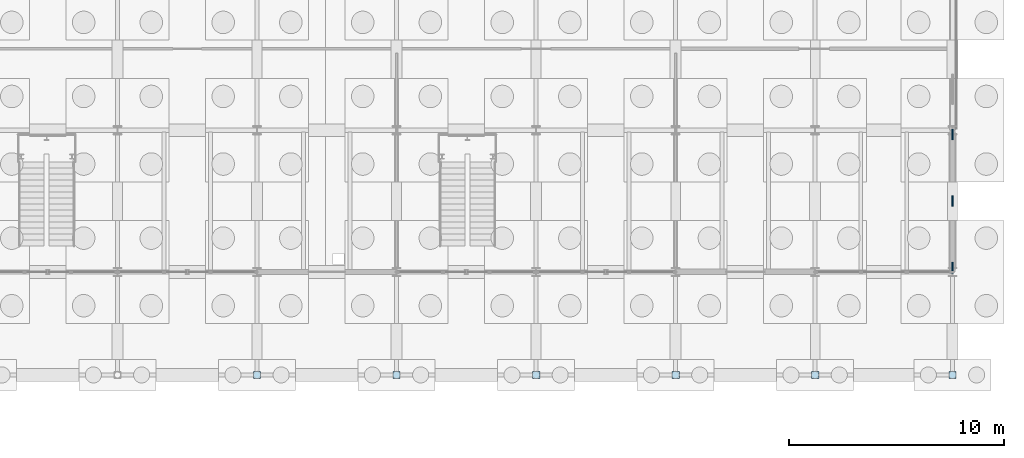
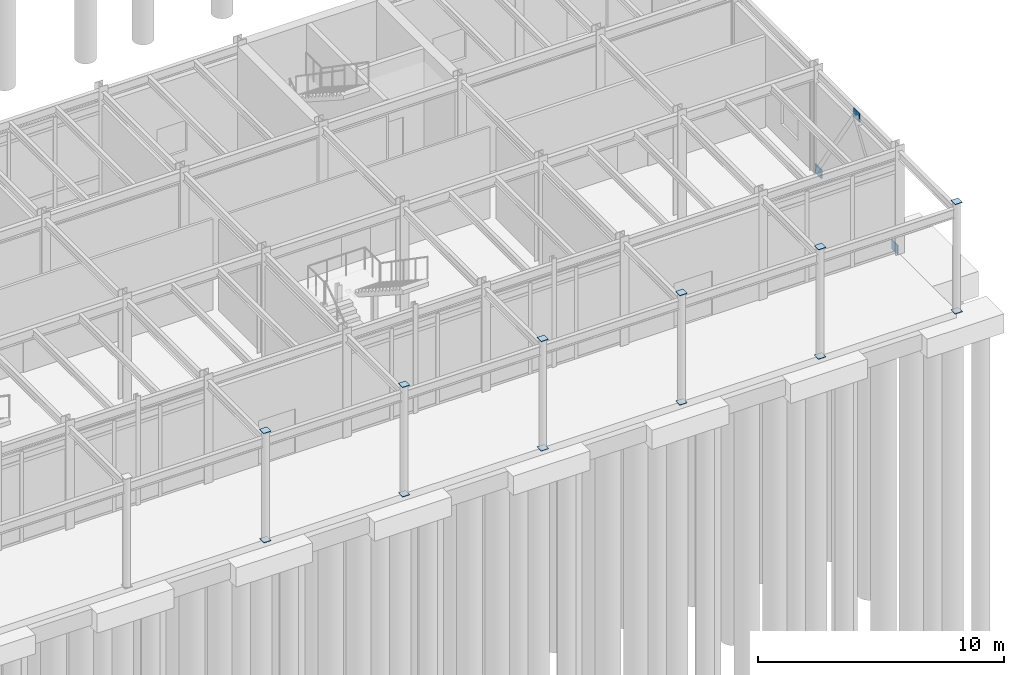
# One storey, part 64 of 82: 15 plates.
"""IFC4 building model written with IfcOpenShell, lengths in metres."""

import ifcopenshell
import ifcopenshell.guid

model = None  # the IFC model being written
_history = None  # IfcOwnerHistory: only IFC2X3 demands one
_inside = {}  # id of a spatial element -> (the spatial element, [elements in it])
_under = {}  # id of a project, library or spatial element -> (it, [spatial elements below it])
_declared = {}  # id of a project -> (the project, [libraries it declares])
_typed = {}  # id of a type object -> (the type object, [elements of that type])
_made_of = {}  # id of a material, layer set ... -> (it, [elements and type objects made of it])


def new_model(schema):
    """Start an empty IFC model of exactly this schema.

    Asked for "IFC4X3", IfcOpenShell would pick the latest addendum, in which some entities
    have other attributes; the version numbers below select the first issue.
    IFC2X3 requires an IfcOwnerHistory on every rooted entity: one is made here for all.
    """
    global model, _history
    if schema == "IFC4X3":
        model = ifcopenshell.file(schema_version=(4, 3, 0, 0))
    else:
        model = ifcopenshell.file(schema=schema)
    _inside.clear()
    _under.clear()
    _declared.clear()
    _typed.clear()
    _made_of.clear()
    _history = None
    if model.schema == "IFC2X3":
        org = make("IfcOrganization", Name="unknown")
        user = make(
            "IfcPersonAndOrganization",
            ThePerson=make("IfcPerson", FamilyName="unknown"),
            TheOrganization=org,
        )
        app = make(
            "IfcApplication",
            ApplicationDeveloper=org,
            Version="unknown",
            ApplicationFullName="unknown",
            ApplicationIdentifier="unknown",
        )
        _history = make(
            "IfcOwnerHistory",
            OwningUser=user,
            OwningApplication=app,
            ChangeAction="ADDED",
            CreationDate=0,
        )
    return model


def make(cls, **values):
    """One entity of the class cls with the attributes given. An attribute that is None is left unset."""
    return model.create_entity(
        cls, **{name: value for name, value in values.items() if value is not None}
    )


def rooted(cls, **values):
    """An entity with a GlobalId (a new one), such as an element, a storey or a relation."""
    return make(cls, GlobalId=ifcopenshell.guid.new(), OwnerHistory=_history, **values)


def si_unit(unit_type, name, prefix=None):
    """IfcSIUnit, for example si_unit("LENGTHUNIT", "METRE", prefix="MILLI")."""
    return make("IfcSIUnit", UnitType=unit_type, Prefix=prefix, Name=name)


def assignment(units):
    """IfcUnitAssignment: the units of a project."""
    return None if units is None else make("IfcUnitAssignment", Units=units)


def point(xyz):
    """IfcCartesianPoint."""
    return None if xyz is None else make("IfcCartesianPoint", Coordinates=xyz)


def direction(xyz):
    """IfcDirection."""
    return None if xyz is None else make("IfcDirection", DirectionRatios=xyz)


def frame(location, z_axis=None, x_axis=None):
    """IfcAxis2Placement3D, a coordinate frame: its origin and axes. An axis left out is left unset."""
    return make(
        "IfcAxis2Placement3D",
        Location=point(location),
        Axis=direction(z_axis),
        RefDirection=direction(x_axis),
    )


def frame_2d(location, x_axis=None):
    """IfcAxis2Placement2D, a coordinate frame in the plane: its origin and x axis."""
    return make(
        "IfcAxis2Placement2D", Location=point(location), RefDirection=direction(x_axis)
    )


def origin():
    """The frame at (0, 0, 0) with its axes left unset."""
    return frame((0.0, 0.0, 0.0))


def origin_2d():
    """The frame at (0, 0) in the plane with its x axis left unset."""
    return frame_2d((0.0, 0.0))


def place(relative_to, where):
    """IfcLocalPlacement: puts the frame where relative to a parent placement (None: the world)."""
    return make(
        "IfcLocalPlacement", PlacementRelTo=relative_to, RelativePlacement=where
    )


def context(
    kind, dimensions, precision=None, world=None, true_north=None, identifier=None
):
    """IfcGeometricRepresentationContext, for example the 3D "Model" context."""
    return make(
        "IfcGeometricRepresentationContext",
        ContextIdentifier=identifier,
        ContextType=kind,
        CoordinateSpaceDimension=dimensions,
        Precision=precision,
        WorldCoordinateSystem=world,
        TrueNorth=true_north,
    )


def subcontext(parent, identifier, kind, view, scale=None):
    """IfcGeometricRepresentationSubContext, for example "Body" below "Model"."""
    return make(
        "IfcGeometricRepresentationSubContext",
        ContextIdentifier=identifier,
        ContextType=kind,
        ParentContext=parent,
        TargetScale=scale,
        TargetView=view,
    )


def project(units=None, contexts=None):
    """IfcProject with its units and contexts."""
    return rooted(
        "IfcProject",
        Name="project",
        RepresentationContexts=contexts,
        UnitsInContext=assignment(units),
    )


def spatial(cls, under=None, at=None, **own):
    """A site, building, storey or space (cls), placed at a placement, below another one or the project."""
    s = rooted(cls, ObjectPlacement=at, **own)
    if under is not None:
        _under.setdefault(under.id(), (under, []))[1].append(s)
    return s


def profile(cls, at=None, kind="AREA", **sizes):
    """A parametric profile (cls). Its sizes go by their IFC names, for example OverallWidth=200.0."""
    return make(cls, ProfileType=kind, Position=at, **sizes)


def rectangle(**sizes):
    """IfcRectangleProfileDef."""
    return profile("IfcRectangleProfileDef", **sizes)


def extrude(swept, where, along, depth):
    """IfcExtrudedAreaSolid: the profile swept, set in the frame where, extruded along a direction by depth."""
    return make(
        "IfcExtrudedAreaSolid",
        SweptArea=swept,
        Position=where,
        ExtrudedDirection=direction(along),
        Depth=depth,
    )


def shape(context_of_items, identifier, shape_type, items):
    """IfcShapeRepresentation: the items that make up one representation, for example the "Body"."""
    return make(
        "IfcShapeRepresentation",
        ContextOfItems=context_of_items,
        RepresentationIdentifier=identifier,
        RepresentationType=shape_type,
        Items=items,
    )


def material(Name=None, Category=None):
    """IfcMaterial."""
    return make("IfcMaterial", Name=Name, Category=Category)


def layer(
    of_material, thickness, ventilated=None, Name=None, Category=None, Priority=None
):
    """IfcMaterialLayer: one layer of a wall or slab, of a material (None: an air gap)."""
    return make(
        "IfcMaterialLayer",
        Material=of_material,
        LayerThickness=thickness,
        IsVentilated=ventilated,
        Name=Name,
        Category=Category,
        Priority=Priority,
    )


def layer_set(layers, Name=None):
    """IfcMaterialLayerSet."""
    return make("IfcMaterialLayerSet", MaterialLayers=layers, LayerSetName=Name)


def made_of(thing, what):
    """Note that an element or type object is made of a material, layer set ...; save() writes the relation."""
    if what is not None:
        _made_of.setdefault(what.id(), (what, []))[1].append(thing)
    return thing


def type_object(cls, material=None, **own):
    """A type object (cls), such as IfcWallType, which elements share."""
    return made_of(rooted(cls, **own), material)


def element(
    cls,
    number,
    at=None,
    inside=None,
    cuts=None,
    type_object=None,
    material=None,
    context=None,
    identifier="Body",
    shape_type=None,
    held_by="IfcProductDefinitionShape",
    body=None,
    shapes=None,
    **own,
):
    """One element of the class cls, such as IfcWall. Its Tag is "e" and its number.

    at: its placement. inside: the storey or other place that contains it. cuts: it is an
    opening in that element (IfcRelVoidsElement). A single representation is given by context,
    identifier, shape_type and body (its items); several are given by shapes. held_by: the class
    of the entity that holds the representations. save() writes the other relations.
    """
    e = rooted(cls, Tag="e%d" % number, ObjectPlacement=at, **own)
    if body is not None:
        shapes = [shape(context, identifier, shape_type, body)]
    if shapes is not None:
        e.Representation = make(held_by, Representations=shapes)
    if inside is not None:
        _inside.setdefault(inside.id(), (inside, []))[1].append(e)
    if cuts is not None:
        rooted(
            "IfcRelVoidsElement", RelatingBuildingElement=cuts, RelatedOpeningElement=e
        )
    if type_object is not None:
        _typed.setdefault(type_object.id(), (type_object, []))[1].append(e)
    return made_of(e, material)


def aggregate(whole, parts):
    """IfcRelAggregates: a whole, such as a stair, and the parts it consists of."""
    return rooted("IfcRelAggregates", RelatingObject=whole, RelatedObjects=parts)


def save(model, path):
    """Write the relations noted so far, then the file.

    IfcRelAggregates (storeys below a building ...), IfcRelContainedInSpatialStructure (elements
    in a storey), IfcRelDefinesByType, IfcRelAssociatesMaterial and IfcRelDeclares: one each for
    every whole, place, type object, material and project.
    """
    for whole, parts in _under.values():
        aggregate(whole, parts)
    for where, things in _inside.values():
        rooted(
            "IfcRelContainedInSpatialStructure",
            RelatedElements=things,
            RelatingStructure=where,
        )
    for kind, things in _typed.values():
        rooted("IfcRelDefinesByType", RelatedObjects=things, RelatingType=kind)
    for what, things in _made_of.values():
        rooted("IfcRelAssociatesMaterial", RelatedObjects=things, RelatingMaterial=what)
    for by, libraries in _declared.values():
        rooted("IfcRelDeclares", RelatingContext=by, RelatedDefinitions=libraries)
    model.write(path)


model = new_model("IFC4")

# Units and contexts
model_context = context("Model", 3, precision=1e-05, world=origin(), true_north=direction((0.0, 1.0)))
body_context = subcontext(model_context, "Body", "Model", "MODEL_VIEW")
ifc_project = project(units=[si_unit("LENGTHUNIT", "METRE"), si_unit("AREAUNIT", "SQUARE_METRE"), si_unit("VOLUMEUNIT", "CUBIC_METRE"), si_unit("PLANEANGLEUNIT", "RADIAN"), si_unit("MASSUNIT", "GRAM", prefix="KILO")], contexts=[model_context])

# Site, building, storey
site_placement = place(None, origin())
site = spatial("IfcSite", under=ifc_project, at=site_placement, CompositionType="ELEMENT")
building_placement = place(site_placement, origin())
building = spatial("IfcBuilding", under=site, at=building_placement, Name="Trelmorton Wharf Fire Station", CompositionType="ELEMENT")
storey_placement = place(building_placement, origin())
storey = spatial("IfcBuildingStorey", under=building, at=storey_placement, Name="L00", CompositionType="ELEMENT", Elevation=0.0)

# Plates
ifc_material = material(Name="Steel Grade 350", Category="steel")
ifc_layer_1 = layer(ifc_material, 0.02001953125)
ifc_layer_set_1 = layer_set([ifc_layer_1], Name="Steel Grade 350")
plate_type_1 = type_object("IfcPlateType", Name="PL_ENDCAP_20", PredefinedType="SHEET", material=ifc_layer_set_1)
for number, where, z_axis, x_axis, name in (
    (1, (130.0, 3.0, -0.02197265625), (0.0, 0.0, 1.0), (1.0, 0.0, 0.0), "PL-COLCAP-B-0192"),
    (2, (130.0, 3.0, 5.39794921875), (0.0, 0.0, 1.0), (1.0, 0.0, 0.0), "PL-COLCAP-T-0192"),
    (3, (136.5, 3.0, -0.02197265625), (0.0, 0.0, 1.0), (1.0, 0.0, 0.0), "PL-COLCAP-B-0201"),
    (4, (136.5, 3.0, 5.39794921875), (0.0, 0.0, 1.0), (1.0, 0.0, 0.0), "PL-COLCAP-T-0201"),
    (5, (143.0, 3.0, -0.02197265625), (0.0, 0.0, 1.0), (1.0, 0.0, 0.0), "PL-COLCAP-B-0210"),
    (6, (143.0, 3.0, 5.39794921875), (0.0, 0.0, 1.0), (1.0, 0.0, 0.0), "PL-COLCAP-T-0210"),
    (7, (149.5, 3.0, -0.02197265625), (0.0, 0.0, 1.0), (1.0, 0.0, 0.0), "PL-COLCAP-B-0219"),
    (8, (149.5, 3.0, 5.39794921875), (0.0, 0.0, 1.0), (1.0, 0.0, 0.0), "PL-COLCAP-T-0219"),
    (9, (156.0, 3.0, -0.02197265625), (0.0, 0.0, 1.0), (1.0, 0.0, 0.0), "PL-COLCAP-B-0228"),
    (10, (156.0, 3.0, 5.39794921875), (0.0, 0.0, 1.0), (1.0, 0.0, 0.0), "PL-COLCAP-T-0228"),
    (11, (162.39990234375, 3.0, -0.02197265625), (0.0, 0.0, 1.0), (1.0, 0.0, 0.0), "PL-COLCAP-B-0237"),
    (12, (162.39990234375, 3.0, 5.39794921875), (0.0, 0.0, 1.0), (1.0, 0.0, 0.0), "PL-COLCAP-T-0237"),
):
    element("IfcPlate", number, at=place(storey_placement, frame(where, z_axis=z_axis, x_axis=x_axis)), inside=storey, type_object=plate_type_1, Name=name, PredefinedType="SHEET", context=body_context, shape_type="SweptSolid", body=[
        extrude(rectangle(XDim=0.343994140625, YDim=0.343994140625, at=origin_2d()), origin(), (0.0, 0.0, 1.0), 0.02392578125),
    ])
ifc_layer_2 = layer(ifc_material, 0.050048828125)
ifc_layer_set_2 = layer_set([ifc_layer_2], Name="Steel Grade 350")
plate_type_2 = type_object("IfcPlateType", Name="PL_GUSSET_TN2", PredefinedType="USERDEFINED", material=ifc_layer_set_2)
for number, where, z_axis, x_axis, name in (
    (13, (162.39990234375, 7.9970703125, -0.10498046875), (0.0, 0.0, 1.0), (1.0, 0.0, 0.0), "PL-CBF-0388"),
    (14, (162.39990234375, 14.202880859375, -0.10498046875), (0.0, 0.0, 1.0), (1.0, 0.0, 0.0), "PL-CBF-0389"),
    (15, (162.39990234375, 11.10009765625, 4.55517578125), (0.0, 0.0, 1.0), (1.0, 0.0, 0.0), "PL-CBF-0390"),
):
    element("IfcPlate", number, at=place(storey_placement, frame(where, z_axis=z_axis, x_axis=x_axis)), inside=storey, type_object=plate_type_2, Name=name, ObjectType="GUSSET PLATE", PredefinedType="USERDEFINED", context=body_context, shape_type="SweptSolid", body=[
        extrude(rectangle(XDim=0.050048828125, YDim=0.5, at=origin_2d()), origin(), (0.0, 0.0, 1.0), 0.449951171875),
    ])

save(model, "model.ifc")
